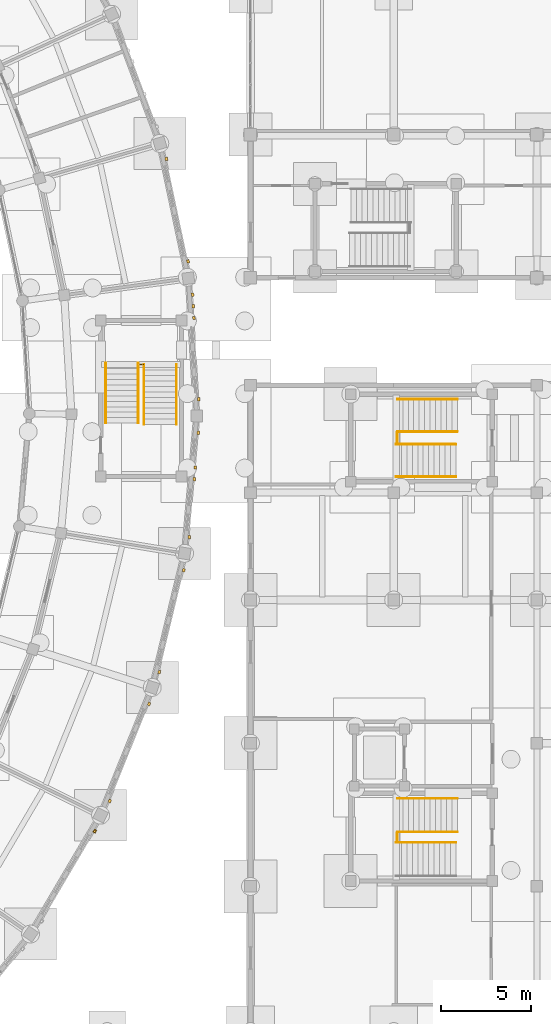
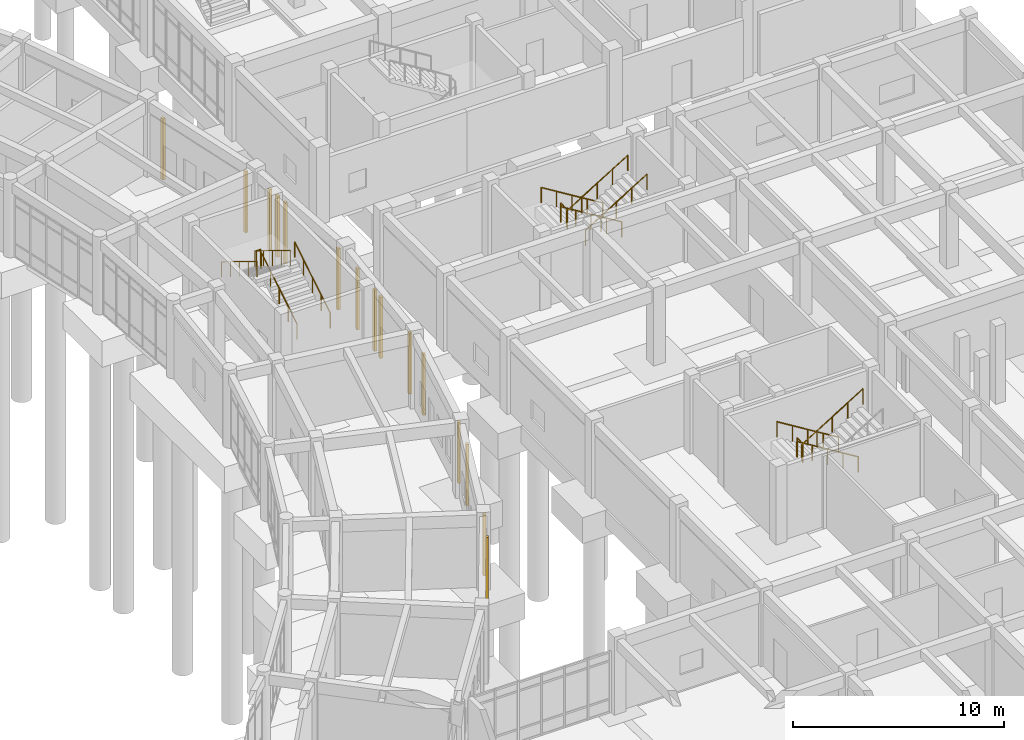
# One storey, part 151 of 153: 15 coverings, 14 railings.
"""IFC4 building model written with IfcOpenShell, lengths in metres."""

from ifc_helpers import new_model, si_unit, direction, frame, origin, origin_2d, place, context, subcontext, project, spatial, rectangle, circle, extrude, material, layer, layer_set, type_object, element, save


model = new_model("IFC4")

# Units and contexts
model_context = context("Model", 3, precision=1e-05, world=origin(), true_north=direction((0.0, 1.0)))
body_context = subcontext(model_context, "Body", "Model", "MODEL_VIEW")
ifc_project = project(units=[si_unit("LENGTHUNIT", "METRE"), si_unit("AREAUNIT", "SQUARE_METRE"), si_unit("VOLUMEUNIT", "CUBIC_METRE"), si_unit("PLANEANGLEUNIT", "RADIAN"), si_unit("MASSUNIT", "GRAM", prefix="KILO")], contexts=[model_context])

# Site, building, storey
site_placement = place(None, origin())
site = spatial("IfcSite", under=ifc_project, at=site_placement, CompositionType="ELEMENT")
building_placement = place(site_placement, origin())
building = spatial("IfcBuilding", under=site, at=building_placement, Name="Celadon Cloister-Ring School", CompositionType="ELEMENT")
storey_placement = place(building_placement, origin())
storey = spatial("IfcBuildingStorey", under=building, at=storey_placement, Name="L00", CompositionType="ELEMENT", Elevation=0.0)

# Coverings
ifc_material_1 = material(Name="Perforated terracotta clay brick masonry", Category="masonry")
ifc_layer = layer(ifc_material_1, 0.139892578125)
ifc_layer_set = layer_set([ifc_layer], Name="Perforated terracotta clay brick masonry")
covering_type = type_object("IfcCoveringType", Name="CV-SC1", PredefinedType="CLADDING", material=ifc_layer_set)
for number, where, z_axis, x_axis, name in (
    (1, (133.305908203125, 35.089111328125, 0.0), (0.0, 0.0, 1.0), (-0.507809026694, -0.861469670045, 0.0), "Brick Screen Rib 0076"),
    (2, (136.33203125, 42.19189453125, 0.0), (0.0, 0.0, 1.0), (-0.375205264473, -0.926941750873, 0.0), "Brick Screen Rib 0078"),
    (3, (134.136962890625, 36.77001953125, 0.0), (0.0, 0.0, 1.0), (-0.375205264473, -0.926941750873, 0.0), "Brick Screen Rib 0079"),
    (4, (138.27294921875, 49.6650390625, 0.0), (0.0, 0.0, 1.0), (-0.233988401232, -0.972239388263, 0.0), "Brick Screen Rib 0080"),
    (5, (136.904052734375, 43.97705078125, 0.0), (0.0, 0.0, 1.0), (-0.233988401232, -0.972239388263, 0.0), "Brick Screen Rib 0081"),
    (6, (139.089111328125, 57.342041015625, 0.0), (0.0, 0.0, 1.0), (-0.087746881202, -0.996142803437, 0.0), "Brick Screen Rib 0082"),
    (7, (138.91796875, 55.39990234375, 0.0), (0.0, 0.0, 1.0), (-0.087746881202, -0.996142803437, 0.0), "Brick Screen Rib 0083"),
    (8, (138.861083984375, 54.751953125, 0.0), (0.0, 0.0, 1.0), (-0.087746881202, -0.996142803437, 0.0), "Brick Screen Rib 0084"),
    (9, (138.575927734375, 51.514892578125, 0.0), (0.0, 0.0, 1.0), (-0.087746881202, -0.996142803437, 0.0), "Brick Screen Rib 0085"),
    (10, (138.762939453125, 65.055908203125, 0.0), (0.0, 0.0, 1.0), (0.06028200911, -0.99818138601, 0.0), "Brick Screen Rib 0086"),
    (11, (138.802978515625, 64.407958984375, 0.0), (0.0, 0.0, 1.0), (0.06028200911, -0.99818138601, 0.0), "Brick Screen Rib 0087"),
    (12, (138.842041015625, 63.759033203125, 0.0), (0.0, 0.0, 1.0), (0.06028200911, -0.99818138601, 0.0), "Brick Screen Rib 0088"),
    (13, (139.115966796875, 59.217041015625, 0.0), (0.0, 0.0, 1.0), (0.06028200911, -0.99818138601, 0.0), "Brick Screen Rib 0089"),
    (14, (137.300048828125, 72.637939453125, 0.0), (0.0, 0.0, 1.0), (0.207075091974, -0.978325051445, 0.0), "Brick Screen Rib 0090"),
    (15, (138.511962890625, 66.9150390625, 0.0), (0.0, 0.0, 1.0), (0.207075091974, -0.978325051445, 0.0), "Brick Screen Rib 0091"),
):
    element("IfcCovering", number, at=place(storey_placement, frame(where, z_axis=z_axis, x_axis=x_axis)), inside=storey, type_object=covering_type, Name=name, PredefinedType="CLADDING", context=body_context, shape_type="SweptSolid", body=[
        extrude(rectangle(XDim=0.179931640625, YDim=0.139892578125, at=origin_2d()), origin(), (0.0, 0.0, 1.0), 3.530029296875),
    ])

# Railings
ifc_material_2 = material(Name="Structural steel S355JR", Category="steel")
railing_type_1 = type_object("IfcRailingType", Name="RL-BL2", PredefinedType="BALUSTRADE", material=ifc_material_2)
railing_1_placement = place(storey_placement, frame((150.205078125, 34.5, 2.25)))
element("IfcRailing", 16, at=railing_1_placement, inside=storey, type_object=railing_type_1, Name="Interior Guard 0173", PredefinedType="BALUSTRADE", context=body_context, shape_type="SweptSolid", body=[
    extrude(circle(Radius=0.02392578125, at=origin_2d()), frame((0.0, 0.0, 1.09619140625), z_axis=(0.0, 1.0, 0.0), x_axis=(-1.0, 0.0, 0.0)), (0.0, 0.0, 1.0), 0.5),
    extrude(circle(Radius=0.02099609375, at=origin_2d()), origin(), (0.0, 0.0, 1.0), 1.072021484375),
    extrude(circle(Radius=0.02099609375, at=origin_2d()), frame((0.0, 0.5, 0.0)), (0.0, 0.0, 1.0), 1.072021484375),
])
railing_2_placement = place(storey_placement, frame((150.205078125, 56.739990234375, 2.25)))
element("IfcRailing", 17, at=railing_2_placement, inside=storey, type_object=railing_type_1, Name="Interior Guard 0194", PredefinedType="BALUSTRADE", context=body_context, shape_type="SweptSolid", body=[
    extrude(circle(Radius=0.02392578125, at=origin_2d()), frame((0.0, 0.0, 1.09619140625), z_axis=(0.0, 1.0, 0.0), x_axis=(-1.0, 0.0, 0.0)), (0.0, 0.0, 1.0), 0.6201171875),
    extrude(circle(Radius=0.02099609375, at=origin_2d()), origin(), (0.0, 0.0, 1.0), 1.072021484375),
    extrude(circle(Radius=0.02099609375, at=origin_2d()), frame((0.0, 0.6201171875, 0.0)), (0.0, 0.0, 1.0), 1.072021484375),
])
railing_3_placement = place(storey_placement, frame((135.77001953125, 61.155029296875, 2.25)))
element("IfcRailing", 18, at=railing_3_placement, inside=storey, type_object=railing_type_1, Name="Interior Guard 0257", PredefinedType="BALUSTRADE", context=body_context, shape_type="SweptSolid", body=[
    extrude(circle(Radius=0.02392578125, at=origin_2d()), frame((0.0, 0.0, 1.09619140625), z_axis=(1.0, 0.0, 0.0), x_axis=(0.0, 1.0, 0.0)), (0.0, 0.0, 1.0), 0.239990234375),
    extrude(circle(Radius=0.02099609375, at=origin_2d()), origin(), (0.0, 0.0, 1.0), 1.072021484375),
    extrude(circle(Radius=0.02099609375, at=origin_2d()), frame((0.239990234375, 0.0, 0.0)), (0.0, 0.0, 1.0), 1.072021484375),
])
ifc_material_3 = material(Name="Structural steel S355JR", Category="steel")
railing_type_2 = type_object("IfcRailingType", Name="RL-HR1", PredefinedType="HANDRAIL", material=ifc_material_3)
for number, where, name in (
    (19, (153.56005859375, 36.9150390625, 0.18798828125), "Stair Handrail 0169"),
    (20, (153.56005859375, 35.044921875, 0.18798828125), "Stair Handrail 0170"),
):
    element("IfcRailing", number, at=place(storey_placement, frame(where)), inside=storey, type_object=railing_type_2, Name=name, PredefinedType="HANDRAIL", context=body_context, shape_type="SweptSolid", body=[
        extrude(circle(Radius=0.02099609375, at=origin_2d()), frame((0.0, 0.0, 0.87890625), z_axis=(-0.85195193322, 0.0, 0.523619999125), x_axis=(0.0, -1.0, 0.0)), (0.0, 0.0, 1.0), 3.93798828125),
        extrude(circle(Radius=0.01806640625, at=origin_2d()), origin(), (0.0, 0.0, 1.0), 0.85791015625),
        extrude(circle(Radius=0.01806640625, at=origin_2d()), frame((-0.8388671875, 0.0, 0.515625)), (0.0, 0.0, 1.0), 0.85791015625),
        extrude(circle(Radius=0.01806640625, at=origin_2d()), frame((-1.677490234375, 0.0, 1.031005859375)), (0.0, 0.0, 1.0), 0.85791015625),
        extrude(circle(Radius=0.01806640625, at=origin_2d()), frame((-2.51611328125, 0.0, 1.54638671875)), (0.0, 0.0, 1.0), 0.85791015625),
        extrude(circle(Radius=0.01806640625, at=origin_2d()), frame((-3.35498046875, 0.0, 2.06201171875)), (0.0, 0.0, 1.0), 0.85791015625),
    ])
railing_4_placement = place(storey_placement, frame((150.125, 34.455078125, 2.43798828125)))
element("IfcRailing", 21, at=railing_4_placement, inside=storey, type_object=railing_type_2, Name="Stair Handrail 0172", PredefinedType="HANDRAIL", context=body_context, shape_type="SweptSolid", body=[
    extrude(circle(Radius=0.02099609375, at=origin_2d()), frame((0.0, 0.0, 0.87890625), z_axis=(0.85195193322, 0.0, 0.523619999125), x_axis=(0.0, 1.0, 0.0)), (0.0, 0.0, 1.0), 3.93798828125),
    extrude(circle(Radius=0.01806640625, at=origin_2d()), origin(), (0.0, 0.0, 1.0), 0.85791015625),
    extrude(circle(Radius=0.01806640625, at=origin_2d()), frame((0.8388671875, 0.0, 0.515625)), (0.0, 0.0, 1.0), 0.85791015625),
    extrude(circle(Radius=0.01806640625, at=origin_2d()), frame((1.677490234375, 0.0, 1.031005859375)), (0.0, 0.0, 1.0), 0.85791015625),
    extrude(circle(Radius=0.01806640625, at=origin_2d()), frame((2.51611328125, 0.0, 1.54638671875)), (0.0, 0.0, 1.0), 0.85791015625),
    extrude(circle(Radius=0.01806640625, at=origin_2d()), frame((3.35498046875, 0.0, 2.06201171875)), (0.0, 0.0, 1.0), 0.85791015625),
])
for number, where, name in (
    (22, (153.56005859375, 59.215087890625, 0.18798828125), "Stair Handrail 0190"),
    (23, (153.56005859375, 57.405029296875, 0.18798828125), "Stair Handrail 0191"),
):
    element("IfcRailing", number, at=place(storey_placement, frame(where)), inside=storey, type_object=railing_type_2, Name=name, PredefinedType="HANDRAIL", context=body_context, shape_type="SweptSolid", body=[
        extrude(circle(Radius=0.02099609375, at=origin_2d()), frame((0.0, 0.0, 0.87890625), z_axis=(-0.85195193322, 0.0, 0.523619999125), x_axis=(0.0, -1.0, 0.0)), (0.0, 0.0, 1.0), 3.93798828125),
        extrude(circle(Radius=0.01806640625, at=origin_2d()), origin(), (0.0, 0.0, 1.0), 0.85791015625),
        extrude(circle(Radius=0.01806640625, at=origin_2d()), frame((-0.8388671875, 0.0, 0.515625)), (0.0, 0.0, 1.0), 0.85791015625),
        extrude(circle(Radius=0.01806640625, at=origin_2d()), frame((-1.677490234375, 0.0, 1.031005859375)), (0.0, 0.0, 1.0), 0.85791015625),
        extrude(circle(Radius=0.01806640625, at=origin_2d()), frame((-2.51611328125, 0.0, 1.54638671875)), (0.0, 0.0, 1.0), 0.85791015625),
        extrude(circle(Radius=0.01806640625, at=origin_2d()), frame((-3.35498046875, 0.0, 2.06201171875)), (0.0, 0.0, 1.0), 0.85791015625),
    ])
for number, where, name in (
    (24, (150.125, 54.885009765625, 2.43798828125), "Stair Handrail 0192"),
    (25, (150.125, 56.695068359375, 2.43798828125), "Stair Handrail 0193"),
):
    element("IfcRailing", number, at=place(storey_placement, frame(where)), inside=storey, type_object=railing_type_2, Name=name, PredefinedType="HANDRAIL", context=body_context, shape_type="SweptSolid", body=[
        extrude(circle(Radius=0.02099609375, at=origin_2d()), frame((0.0, 0.0, 0.87890625), z_axis=(0.85195193322, 0.0, 0.523619999125), x_axis=(0.0, 1.0, 0.0)), (0.0, 0.0, 1.0), 3.93798828125),
        extrude(circle(Radius=0.01806640625, at=origin_2d()), origin(), (0.0, 0.0, 1.0), 0.85791015625),
        extrude(circle(Radius=0.01806640625, at=origin_2d()), frame((0.8388671875, 0.0, 0.515625)), (0.0, 0.0, 1.0), 0.85791015625),
        extrude(circle(Radius=0.01806640625, at=origin_2d()), frame((1.677490234375, 0.0, 1.031005859375)), (0.0, 0.0, 1.0), 0.85791015625),
        extrude(circle(Radius=0.01806640625, at=origin_2d()), frame((2.51611328125, 0.0, 1.54638671875)), (0.0, 0.0, 1.0), 0.85791015625),
        extrude(circle(Radius=0.01806640625, at=origin_2d()), frame((3.35498046875, 0.0, 2.06201171875)), (0.0, 0.0, 1.0), 0.85791015625),
    ])
for number, where, name in (
    (26, (137.864990234375, 57.800048828125, 0.18798828125), "Stair Handrail 0253"),
    (27, (136.054931640625, 57.800048828125, 0.18798828125), "Stair Handrail 0254"),
):
    element("IfcRailing", number, at=place(storey_placement, frame(where)), inside=storey, type_object=railing_type_2, Name=name, PredefinedType="HANDRAIL", context=body_context, shape_type="SweptSolid", body=[
        extrude(circle(Radius=0.02099609375, at=origin_2d()), frame((0.0, 0.0, 0.87890625), z_axis=(0.0, 0.85195193322, 0.523619999125), x_axis=(-1.0, 0.0, 0.0)), (0.0, 0.0, 1.0), 3.93798828125),
        extrude(circle(Radius=0.01806640625, at=origin_2d()), origin(), (0.0, 0.0, 1.0), 0.85791015625),
        extrude(circle(Radius=0.01806640625, at=origin_2d()), frame((0.0, 0.8388671875, 0.515625)), (0.0, 0.0, 1.0), 0.85791015625),
        extrude(circle(Radius=0.01806640625, at=origin_2d()), frame((0.0, 1.677490234375, 1.031005859375)), (0.0, 0.0, 1.0), 0.85791015625),
        extrude(circle(Radius=0.01806640625, at=origin_2d()), frame((0.0, 2.51611328125, 1.54638671875)), (0.0, 0.0, 1.0), 0.85791015625),
        extrude(circle(Radius=0.01806640625, at=origin_2d()), frame((0.0, 3.35498046875, 2.06201171875)), (0.0, 0.0, 1.0), 0.85791015625),
    ])
for number, where, name in (
    (28, (133.9150390625, 61.235107421875, 2.43798828125), "Stair Handrail 0255"),
    (29, (135.72509765625, 61.235107421875, 2.43798828125), "Stair Handrail 0256"),
):
    element("IfcRailing", number, at=place(storey_placement, frame(where)), inside=storey, type_object=railing_type_2, Name=name, PredefinedType="HANDRAIL", context=body_context, shape_type="SweptSolid", body=[
        extrude(circle(Radius=0.02099609375, at=origin_2d()), frame((0.0, 0.0, 0.87890625), z_axis=(0.0, -0.851968929864, 0.523592343857), x_axis=(1.0, 0.0, 0.0)), (0.0, 0.0, 1.0), 3.938232421875),
        extrude(circle(Radius=0.01806640625, at=origin_2d()), origin(), (0.0, 0.0, 1.0), 0.85791015625),
        extrude(circle(Radius=0.01806640625, at=origin_2d()), frame((0.0, -0.8388671875, 0.515625)), (0.0, 0.0, 1.0), 0.85791015625),
        extrude(circle(Radius=0.01806640625, at=origin_2d()), frame((0.0, -1.677734375, 1.031005859375)), (0.0, 0.0, 1.0), 0.85791015625),
        extrude(circle(Radius=0.01806640625, at=origin_2d()), frame((0.0, -2.516357421875, 1.54638671875)), (0.0, 0.0, 1.0), 0.85791015625),
        extrude(circle(Radius=0.01806640625, at=origin_2d()), frame((0.0, -3.355224609375, 2.06201171875)), (0.0, 0.0, 1.0), 0.85791015625),
    ])

save(model, "model.ifc")
